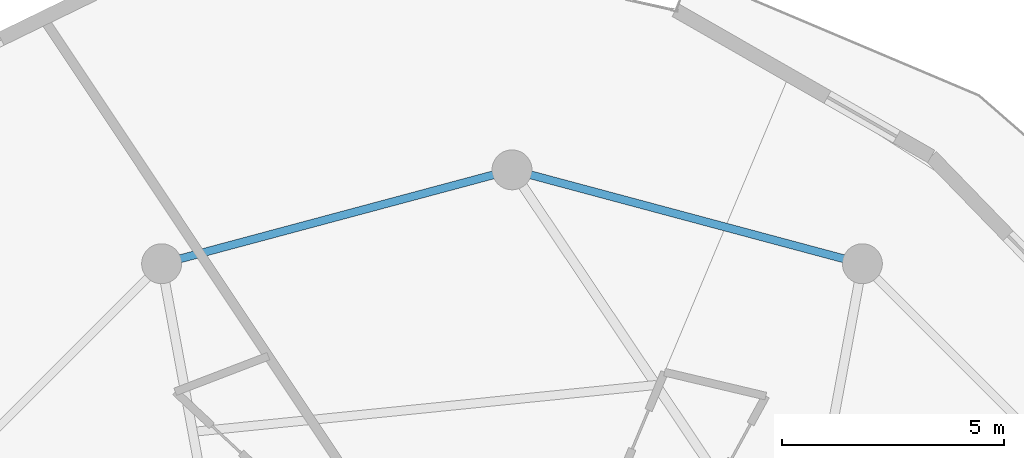
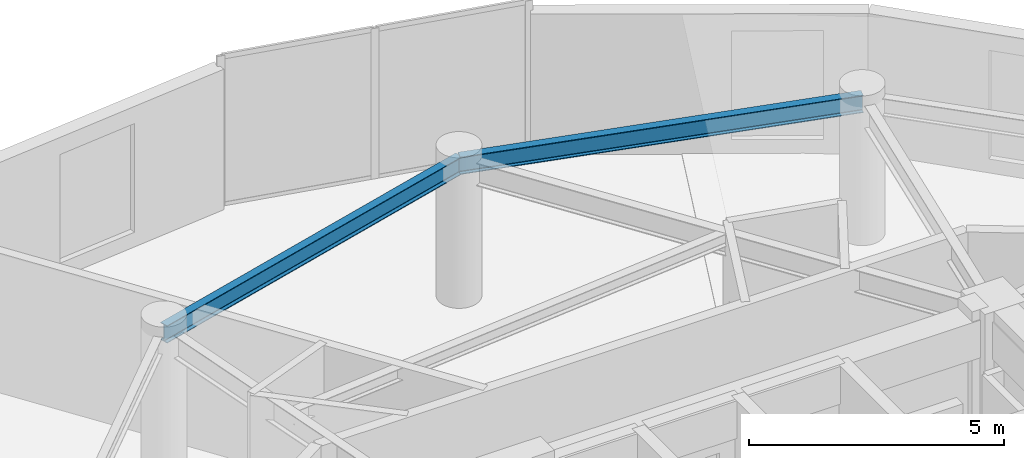
# One storey, part 15 of 23: 2 beams.
"""IFC4 building model written with IfcOpenShell, lengths in metres."""

from ifc_helpers import new_model, si_unit, direction, frame, origin, origin_2d, place, context, subcontext, project, spatial, i_section, extrude, material, material_profile, profile_set, type_object, element, save


model = new_model("IFC4")

# Units and contexts
model_context = context("Model", 3, precision=1e-05, world=origin(), true_north=direction((0.0, 1.0)))
body_context = subcontext(model_context, "Body", "Model", "MODEL_VIEW")
ifc_project = project(units=[si_unit("LENGTHUNIT", "METRE"), si_unit("AREAUNIT", "SQUARE_METRE"), si_unit("VOLUMEUNIT", "CUBIC_METRE"), si_unit("PLANEANGLEUNIT", "RADIAN"), si_unit("MASSUNIT", "GRAM", prefix="KILO")], contexts=[model_context])

# Site, building, storey
site_placement = place(None, origin())
site = spatial("IfcSite", under=ifc_project, at=site_placement, CompositionType="ELEMENT")
building_placement = place(site_placement, origin())
building = spatial("IfcBuilding", under=site, at=building_placement, Name="Solvirekh Grand Hotel", CompositionType="ELEMENT")
storey_placement = place(building_placement, frame((0.0, 0.0, 180.39990234375)))
storey = spatial("IfcBuildingStorey", under=building, at=storey_placement, Name="L46", CompositionType="ELEMENT", Elevation=180.39990234375)

# Beams
ifc_material = material(Name="Steel S355", Category="steel")
ifc_material_profile = material_profile(ifc_material, i_section(OverallWidth=0.180908203125, OverallDepth=0.4169921875, WebThickness=0.010009765625, FlangeThickness=0.01611328125, FilletRadius=0.011962890625, at=origin_2d()), Name="W410X85")
ifc_profile_set = profile_set([ifc_material_profile], Name="Steel S355")
beam_type = type_object("IfcBeamType", Name="Spandrel_Ring_W410", PredefinedType="SPANDREL", material=ifc_profile_set)
for number, where, z_axis, x_axis, name in (
    (1, (7.89990234375, 13.68310546875, 3.152099609375), (-0.965920601923, 0.258838541915, 0.0), (-0.258838541915, -0.965920601923, 0.0), "L46 perimeter spandrel beam 3"),
    (2, (0.0, 15.800048828125, 3.152099609375), (-0.965920601923, -0.258838541915, 0.0), (0.258838541915, -0.965920601923, 0.0), "L46 perimeter spandrel beam 4"),
):
    element("IfcBeam", number, at=place(storey_placement, frame(where, z_axis=z_axis, x_axis=x_axis)), inside=storey, type_object=beam_type, Name=name, PredefinedType="SPANDREL", context=body_context, shape_type="SweptSolid", body=[
        extrude(i_section(OverallWidth=0.180908203125, OverallDepth=0.4169921875, WebThickness=0.010009765625, FlangeThickness=0.01611328125, FilletRadius=0.011962890625, at=origin_2d()), origin(), (0.0, 0.0, 1.0), 8.1787109375),
    ])

save(model, "model.ifc")
